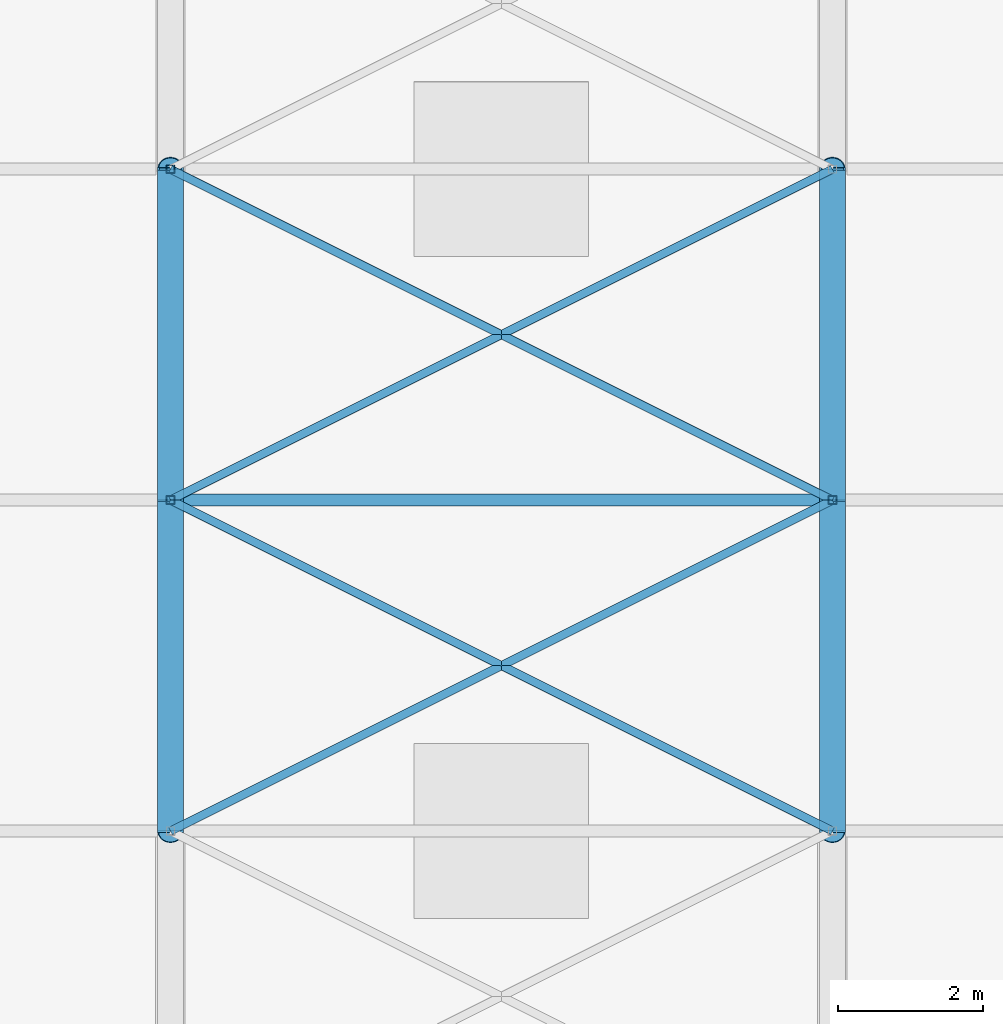
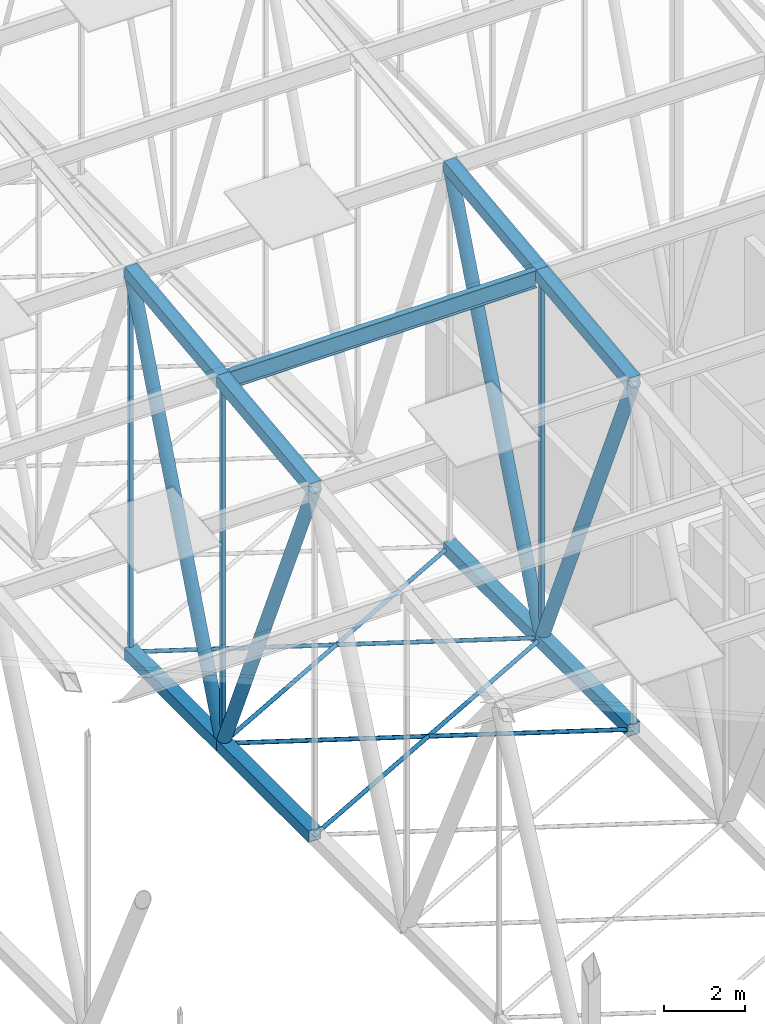
# One storey, part 146 of 500: 20 members.
"""IFC4 building model written with IfcOpenShell, lengths in metres."""

from ifc_helpers import new_model, si_unit, direction, frame, origin, origin_2d, place, context, subcontext, project, spatial, hollow_rectangle, hollow_circle, i_section, extrude, material, material_profile, profile_set, type_object, element, save


model = new_model("IFC4")

# Units and contexts
model_context = context("Model", 3, precision=1e-05, world=origin(), true_north=direction((0.0, 1.0)))
body_context = subcontext(model_context, "Body", "Model", "MODEL_VIEW")
ifc_project = project(units=[si_unit("LENGTHUNIT", "METRE"), si_unit("AREAUNIT", "SQUARE_METRE"), si_unit("VOLUMEUNIT", "CUBIC_METRE"), si_unit("PLANEANGLEUNIT", "RADIAN"), si_unit("MASSUNIT", "GRAM", prefix="KILO")], contexts=[model_context])

# Site, building, storey
site_placement = place(None, origin())
site = spatial("IfcSite", under=ifc_project, at=site_placement, CompositionType="ELEMENT")
building_placement = place(site_placement, origin())
building = spatial("IfcBuilding", under=site, at=building_placement, Name="Shirokan Park Arena", CompositionType="ELEMENT")
storey_placement = place(building_placement, frame((0.0, 0.0, 29.1201171875)))
storey = spatial("IfcBuildingStorey", under=building, at=storey_placement, Name="L06", CompositionType="ELEMENT", Elevation=29.1201171875)

# Members
ifc_material_1 = material(Name="Steel S355J2H", Category="steel")
ifc_material_profile_1 = material_profile(ifc_material_1, hollow_rectangle(XDim=0.35595703125, YDim=0.35595703125, WallThickness=0.025390625, at=origin_2d()), Name="HSS355.6X355.6X25.4")
ifc_profile_set_1 = profile_set([ifc_material_profile_1], Name="Steel S355J2H")
member_type_1 = type_object("IfcMemberType", Name="Bottom chord HSS355.6X355.6X25.4", PredefinedType="CHORD", material=ifc_profile_set_1)
for number, where, z_axis, x_axis, name in (
    (1, (91.0, 22.75, 4.677001953125), (0.0, 1.0, 0.0), (-1.0, 0.0, 0.0), "Truss T11 bottom chord 8"),
    (2, (91.0, 27.300048828125, 4.677001953125), (0.0, 1.0, 0.0), (-1.0, 0.0, 0.0), "Truss T11 bottom chord 9"),
    (3, (100.10009765625, 22.75, 4.677001953125), (0.0, 1.0, 0.0), (-1.0, 0.0, 0.0), "Truss T12 bottom chord 8"),
    (4, (100.10009765625, 27.300048828125, 4.677001953125), (0.0, 1.0, 0.0), (-1.0, 0.0, 0.0), "Truss T12 bottom chord 9"),
):
    element("IfcMember", number, at=place(storey_placement, frame(where, z_axis=z_axis, x_axis=x_axis)), inside=storey, type_object=member_type_1, Name=name, PredefinedType="CHORD", context=body_context, shape_type="SweptSolid", body=[
        extrude(hollow_rectangle(XDim=0.35595703125, YDim=0.35595703125, WallThickness=0.025390625, at=origin_2d()), origin(), (0.0, 0.0, 1.0), 4.550048828125),
    ])
ifc_material_2 = material(Name="Steel ASTM A500 Grade C", Category="steel")
ifc_material_profile_2 = material_profile(ifc_material_2, hollow_circle(Radius=0.056884765625, WallThickness=0.006103515625, at=origin_2d()), Name="HSS114.3X6")
ifc_profile_set_2 = profile_set([ifc_material_profile_2], Name="Steel ASTM A500 Grade C")
member_type_2 = type_object("IfcMemberType", Name="Plan bracing HSS114.3X6", PredefinedType="BRACE", material=ifc_profile_set_2)
for number, where, z_axis, x_axis, name in (
    (5, (91.0, 22.75, 4.677001953125), (0.894427191, 0.4472135955, 0.0), (-0.4472135955, 0.894427191, 0.0), "Plan bracing bay 11 panel 8 A"),
    (6, (100.10009765625, 22.75, 4.677001953125), (-0.894427191, 0.4472135955, 0.0), (-0.4472135955, -0.894427191, 0.0), "Plan bracing bay 11 panel 8 B"),
    (7, (91.0, 27.300048828125, 4.677001953125), (0.894427191, 0.4472135955, 0.0), (-0.4472135955, 0.894427191, 0.0), "Plan bracing bay 11 panel 9 A"),
    (8, (100.10009765625, 27.300048828125, 4.677001953125), (-0.894427191, 0.4472135955, 0.0), (-0.4472135955, -0.894427191, 0.0), "Plan bracing bay 11 panel 9 B"),
):
    element("IfcMember", number, at=place(storey_placement, frame(where, z_axis=z_axis, x_axis=x_axis)), inside=storey, type_object=member_type_2, Name=name, PredefinedType="BRACE", context=body_context, shape_type="SweptSolid", body=[
        extrude(hollow_circle(Radius=0.056884765625, WallThickness=0.006103515625, at=origin_2d()), origin(), (0.0, 0.0, 1.0), 10.17431640625),
    ])
ifc_material_3 = material(Name="Steel ASTM A992", Category="steel")
ifc_material_profile_3 = material_profile(ifc_material_3, i_section(OverallWidth=0.166015625, OverallDepth=0.528076171875, WebThickness=0.009765625, FlangeThickness=0.013671875, at=origin_2d()), Name="W530X74")
ifc_profile_set_3 = profile_set([ifc_material_profile_3], Name="Steel ASTM A992")
member_type_3 = type_object("IfcMemberType", Name="Purlin W530X74", PredefinedType="PURLIN", material=ifc_profile_set_3)
member_1_placement = place(storey_placement, frame((91.177978515625, 27.300048828125, 15.60595703125), z_axis=(1.0, 0.0, 0.0), x_axis=(0.0, 1.0, 0.0)))
element("IfcMember", 9, at=member_1_placement, inside=storey, type_object=member_type_3, Name="Purlin 9 bay 11", PredefinedType="PURLIN", context=body_context, shape_type="SweptSolid", body=[
    extrude(i_section(OverallWidth=0.166015625, OverallDepth=0.528076171875, WebThickness=0.009765625, FlangeThickness=0.013671875, at=origin_2d()), origin(), (0.0, 0.0, 1.0), 8.744140625),
])
ifc_material_profile_4 = material_profile(ifc_material_1, hollow_rectangle(XDim=0.35595703125, YDim=0.35595703125, WallThickness=0.025390625, at=origin_2d()), Name="HSS355.6X355.6X25.4")
ifc_profile_set_4 = profile_set([ifc_material_profile_4], Name="Steel S355J2H")
member_type_4 = type_object("IfcMemberType", Name="Top chord HSS355.6X355.6X25.4", PredefinedType="CHORD", material=ifc_profile_set_4)
for number, where, z_axis, x_axis, name in (
    (10, (91.0, 22.75, 15.141357421875), (0.0, 0.993532328996, 0.113549598152), (-1.0, 0.0, 0.0), "Truss T11 top chord 8"),
    (11, (91.0, 27.300048828125, 15.661376953125), (0.0, 0.993532328996, 0.113549598152), (-1.0, 0.0, 0.0), "Truss T11 top chord 9"),
    (12, (100.10009765625, 22.75, 15.141357421875), (0.0, 0.993532328996, 0.113549598152), (-1.0, 0.0, 0.0), "Truss T12 top chord 8"),
    (13, (100.10009765625, 27.300048828125, 15.661376953125), (0.0, 0.993532328996, 0.113549598152), (-1.0, 0.0, 0.0), "Truss T12 top chord 9"),
):
    element("IfcMember", number, at=place(storey_placement, frame(where, z_axis=z_axis, x_axis=x_axis)), inside=storey, type_object=member_type_4, Name=name, PredefinedType="CHORD", context=body_context, shape_type="SweptSolid", body=[
        extrude(hollow_rectangle(XDim=0.35595703125, YDim=0.35595703125, WallThickness=0.025390625, at=origin_2d()), origin(), (0.0, 0.0, 1.0), 4.57958984375),
    ])
ifc_material_profile_5 = material_profile(ifc_material_2, hollow_circle(Radius=0.177978515625, WallThickness=0.0126953125, at=origin_2d()), Name="HSS355.6X12.7")
ifc_profile_set_5 = profile_set([ifc_material_profile_5], Name="Steel ASTM A500 Grade C")
member_type_5 = type_object("IfcMemberType", Name="Truss diagonal HSS355.6X12.7", PredefinedType="BRACE", material=ifc_profile_set_5)
member_2_placement = place(storey_placement, frame((91.0, 22.75, 15.141357421875), z_axis=(0.0, 0.398750364192, -0.917059511186), x_axis=(-1.0, 0.0, 0.0)))
element("IfcMember", 14, at=member_2_placement, inside=storey, type_object=member_type_5, Name="Truss T11 diagonal 8", PredefinedType="BRACE", context=body_context, shape_type="SweptSolid", body=[
    extrude(hollow_circle(Radius=0.177978515625, WallThickness=0.0126953125, at=origin_2d()), origin(), (0.0, 0.0, 1.0), 11.410888671875),
])
member_3_placement = place(storey_placement, frame((91.0, 27.300048828125, 4.677001953125), z_axis=(0.0, 0.367784702528, 0.929910970248), x_axis=(-1.0, 0.0, 0.0)))
element("IfcMember", 15, at=member_3_placement, inside=storey, type_object=member_type_5, Name="Truss T11 diagonal 9", PredefinedType="BRACE", context=body_context, shape_type="SweptSolid", body=[
    extrude(hollow_circle(Radius=0.177978515625, WallThickness=0.0126953125, at=origin_2d()), origin(), (0.0, 0.0, 1.0), 12.37158203125),
])
member_4_placement = place(storey_placement, frame((100.10009765625, 22.75, 15.141357421875), z_axis=(0.0, 0.398750364192, -0.917059511186), x_axis=(-1.0, 0.0, 0.0)))
element("IfcMember", 16, at=member_4_placement, inside=storey, type_object=member_type_5, Name="Truss T12 diagonal 8", PredefinedType="BRACE", context=body_context, shape_type="SweptSolid", body=[
    extrude(hollow_circle(Radius=0.177978515625, WallThickness=0.0126953125, at=origin_2d()), origin(), (0.0, 0.0, 1.0), 11.410888671875),
])
member_5_placement = place(storey_placement, frame((100.10009765625, 27.300048828125, 4.677001953125), z_axis=(0.0, 0.367784702528, 0.929910970248), x_axis=(-1.0, 0.0, 0.0)))
element("IfcMember", 17, at=member_5_placement, inside=storey, type_object=member_type_5, Name="Truss T12 diagonal 9", PredefinedType="BRACE", context=body_context, shape_type="SweptSolid", body=[
    extrude(hollow_circle(Radius=0.177978515625, WallThickness=0.0126953125, at=origin_2d()), origin(), (0.0, 0.0, 1.0), 12.37158203125),
])
ifc_material_profile_6 = material_profile(ifc_material_2, hollow_rectangle(XDim=0.114013671875, YDim=0.114013671875, WallThickness=0.00634765625, at=origin_2d()), Name="HSS114.3X114.3X6.4")
ifc_profile_set_6 = profile_set([ifc_material_profile_6], Name="Steel ASTM A500 Grade C")
member_type_6 = type_object("IfcMemberType", Name="Truss post HSS114.3X114.3X6.4", PredefinedType="POST", material=ifc_profile_set_6)
member_6_placement = place(storey_placement, frame((91.0, 27.300048828125, 4.677001953125), z_axis=(0.0, 0.0, 1.0), x_axis=(1.0, 0.0, 0.0)))
element("IfcMember", 18, at=member_6_placement, inside=storey, type_object=member_type_6, Name="Truss T11 post 9", PredefinedType="POST", context=body_context, shape_type="SweptSolid", body=[
    extrude(hollow_rectangle(XDim=0.114013671875, YDim=0.114013671875, WallThickness=0.00634765625, at=origin_2d()), origin(), (0.0, 0.0, 1.0), 10.984375),
])
member_7_placement = place(storey_placement, frame((91.0, 31.85009765625, 4.677001953125), z_axis=(0.0, 0.0, 1.0), x_axis=(1.0, 0.0, 0.0)))
element("IfcMember", 19, at=member_7_placement, inside=storey, type_object=member_type_6, Name="Truss T11 post 10", PredefinedType="POST", context=body_context, shape_type="SweptSolid", body=[
    extrude(hollow_rectangle(XDim=0.114013671875, YDim=0.114013671875, WallThickness=0.00634765625, at=origin_2d()), origin(), (0.0, 0.0, 1.0), 11.50439453125),
])
member_8_placement = place(storey_placement, frame((100.10009765625, 27.300048828125, 4.677001953125), z_axis=(0.0, 0.0, 1.0), x_axis=(1.0, 0.0, 0.0)))
element("IfcMember", 20, at=member_8_placement, inside=storey, type_object=member_type_6, Name="Truss T12 post 9", PredefinedType="POST", context=body_context, shape_type="SweptSolid", body=[
    extrude(hollow_rectangle(XDim=0.114013671875, YDim=0.114013671875, WallThickness=0.00634765625, at=origin_2d()), origin(), (0.0, 0.0, 1.0), 10.984375),
])

save(model, "model.ifc")
